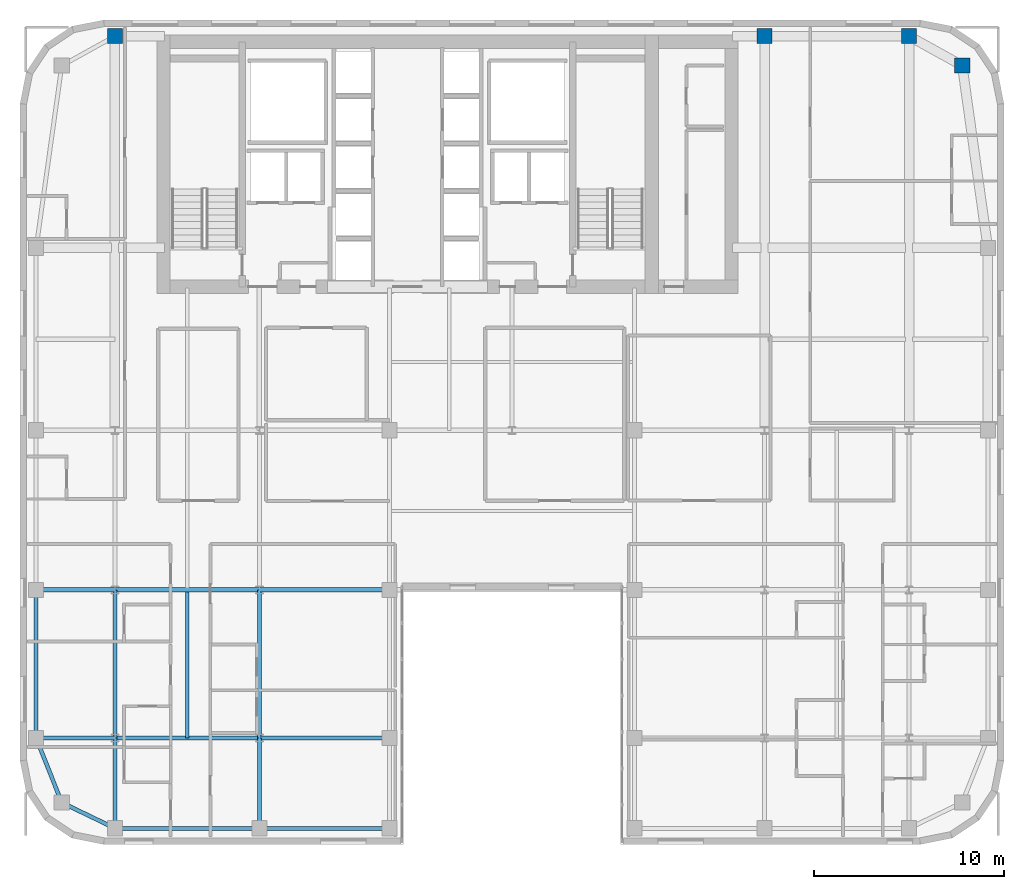
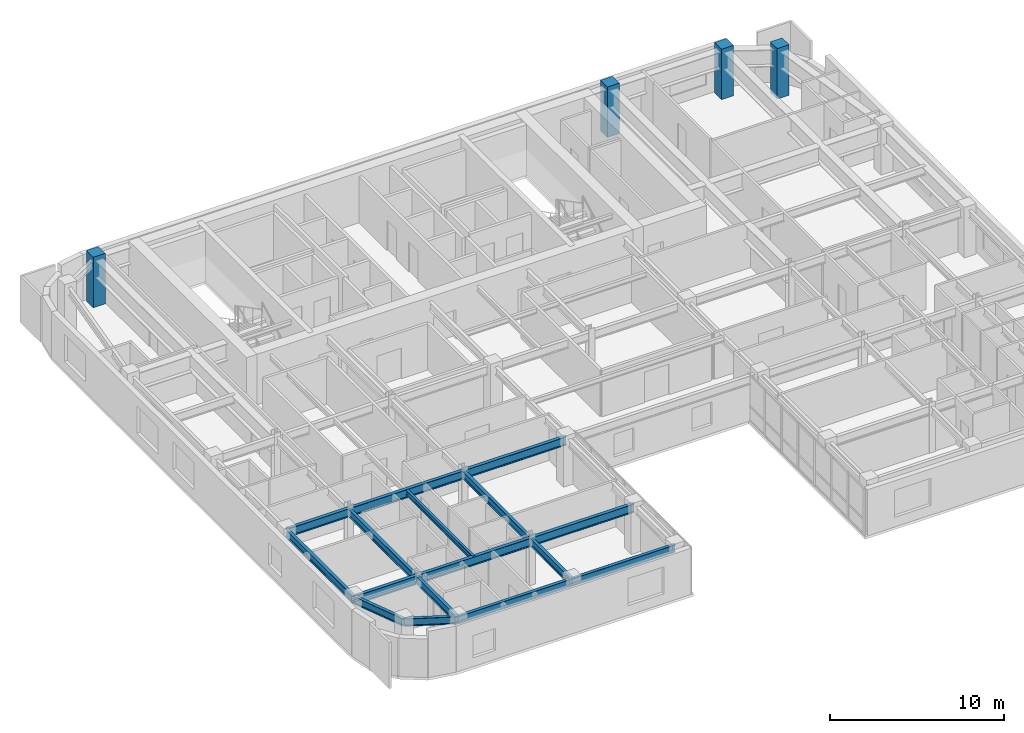
# One storey, part 2 of 14: 16 beams, 4 columns.
"""IFC4 building model written with IfcOpenShell, lengths in metres."""

import ifcopenshell
import ifcopenshell.guid

model = None  # the IFC model being written
_history = None  # IfcOwnerHistory: only IFC2X3 demands one
_inside = {}  # id of a spatial element -> (the spatial element, [elements in it])
_under = {}  # id of a project, library or spatial element -> (it, [spatial elements below it])
_declared = {}  # id of a project -> (the project, [libraries it declares])
_typed = {}  # id of a type object -> (the type object, [elements of that type])
_made_of = {}  # id of a material, layer set ... -> (it, [elements and type objects made of it])


def new_model(schema):
    """Start an empty IFC model of exactly this schema.

    Asked for "IFC4X3", IfcOpenShell would pick the latest addendum, in which some entities
    have other attributes; the version numbers below select the first issue.
    IFC2X3 requires an IfcOwnerHistory on every rooted entity: one is made here for all.
    """
    global model, _history
    if schema == "IFC4X3":
        model = ifcopenshell.file(schema_version=(4, 3, 0, 0))
    else:
        model = ifcopenshell.file(schema=schema)
    _inside.clear()
    _under.clear()
    _declared.clear()
    _typed.clear()
    _made_of.clear()
    _history = None
    if model.schema == "IFC2X3":
        org = make("IfcOrganization", Name="unknown")
        user = make(
            "IfcPersonAndOrganization",
            ThePerson=make("IfcPerson", FamilyName="unknown"),
            TheOrganization=org,
        )
        app = make(
            "IfcApplication",
            ApplicationDeveloper=org,
            Version="unknown",
            ApplicationFullName="unknown",
            ApplicationIdentifier="unknown",
        )
        _history = make(
            "IfcOwnerHistory",
            OwningUser=user,
            OwningApplication=app,
            ChangeAction="ADDED",
            CreationDate=0,
        )
    return model


def make(cls, **values):
    """One entity of the class cls with the attributes given. An attribute that is None is left unset."""
    return model.create_entity(
        cls, **{name: value for name, value in values.items() if value is not None}
    )


def rooted(cls, **values):
    """An entity with a GlobalId (a new one), such as an element, a storey or a relation."""
    return make(cls, GlobalId=ifcopenshell.guid.new(), OwnerHistory=_history, **values)


def si_unit(unit_type, name, prefix=None):
    """IfcSIUnit, for example si_unit("LENGTHUNIT", "METRE", prefix="MILLI")."""
    return make("IfcSIUnit", UnitType=unit_type, Prefix=prefix, Name=name)


def assignment(units):
    """IfcUnitAssignment: the units of a project."""
    return None if units is None else make("IfcUnitAssignment", Units=units)


def point(xyz):
    """IfcCartesianPoint."""
    return None if xyz is None else make("IfcCartesianPoint", Coordinates=xyz)


def direction(xyz):
    """IfcDirection."""
    return None if xyz is None else make("IfcDirection", DirectionRatios=xyz)


def frame(location, z_axis=None, x_axis=None):
    """IfcAxis2Placement3D, a coordinate frame: its origin and axes. An axis left out is left unset."""
    return make(
        "IfcAxis2Placement3D",
        Location=point(location),
        Axis=direction(z_axis),
        RefDirection=direction(x_axis),
    )


def frame_2d(location, x_axis=None):
    """IfcAxis2Placement2D, a coordinate frame in the plane: its origin and x axis."""
    return make(
        "IfcAxis2Placement2D", Location=point(location), RefDirection=direction(x_axis)
    )


def origin():
    """The frame at (0, 0, 0) with its axes left unset."""
    return frame((0.0, 0.0, 0.0))


def origin_2d():
    """The frame at (0, 0) in the plane with its x axis left unset."""
    return frame_2d((0.0, 0.0))


def place(relative_to, where):
    """IfcLocalPlacement: puts the frame where relative to a parent placement (None: the world)."""
    return make(
        "IfcLocalPlacement", PlacementRelTo=relative_to, RelativePlacement=where
    )


def context(
    kind, dimensions, precision=None, world=None, true_north=None, identifier=None
):
    """IfcGeometricRepresentationContext, for example the 3D "Model" context."""
    return make(
        "IfcGeometricRepresentationContext",
        ContextIdentifier=identifier,
        ContextType=kind,
        CoordinateSpaceDimension=dimensions,
        Precision=precision,
        WorldCoordinateSystem=world,
        TrueNorth=true_north,
    )


def subcontext(parent, identifier, kind, view, scale=None):
    """IfcGeometricRepresentationSubContext, for example "Body" below "Model"."""
    return make(
        "IfcGeometricRepresentationSubContext",
        ContextIdentifier=identifier,
        ContextType=kind,
        ParentContext=parent,
        TargetScale=scale,
        TargetView=view,
    )


def project(units=None, contexts=None):
    """IfcProject with its units and contexts."""
    return rooted(
        "IfcProject",
        Name="project",
        RepresentationContexts=contexts,
        UnitsInContext=assignment(units),
    )


def spatial(cls, under=None, at=None, **own):
    """A site, building, storey or space (cls), placed at a placement, below another one or the project."""
    s = rooted(cls, ObjectPlacement=at, **own)
    if under is not None:
        _under.setdefault(under.id(), (under, []))[1].append(s)
    return s


def profile(cls, at=None, kind="AREA", **sizes):
    """A parametric profile (cls). Its sizes go by their IFC names, for example OverallWidth=200.0."""
    return make(cls, ProfileType=kind, Position=at, **sizes)


def rectangle(**sizes):
    """IfcRectangleProfileDef."""
    return profile("IfcRectangleProfileDef", **sizes)


def i_section(**sizes):
    """IfcIShapeProfileDef."""
    return profile("IfcIShapeProfileDef", **sizes)


def extrude(swept, where, along, depth):
    """IfcExtrudedAreaSolid: the profile swept, set in the frame where, extruded along a direction by depth."""
    return make(
        "IfcExtrudedAreaSolid",
        SweptArea=swept,
        Position=where,
        ExtrudedDirection=direction(along),
        Depth=depth,
    )


def shape(context_of_items, identifier, shape_type, items):
    """IfcShapeRepresentation: the items that make up one representation, for example the "Body"."""
    return make(
        "IfcShapeRepresentation",
        ContextOfItems=context_of_items,
        RepresentationIdentifier=identifier,
        RepresentationType=shape_type,
        Items=items,
    )


def source(mapping_origin, context_of_items, identifier, shape_type, items):
    """IfcRepresentationMap: a shape defined once, which mapped items show again and again."""
    return make(
        "IfcRepresentationMap",
        MappingOrigin=mapping_origin,
        MappedRepresentation=shape(context_of_items, identifier, shape_type, items),
    )


def transform(
    local_origin,
    x_axis=None,
    y_axis=None,
    z_axis=None,
    scale=None,
    scale2=None,
    scale3=None,
    uniform=True,
):
    """IfcCartesianTransformationOperator3D, or its non-uniform kind. x_axis, y_axis, z_axis: its Axis1, 2, 3."""
    if uniform:
        return make(
            "IfcCartesianTransformationOperator3D",
            Axis1=direction(x_axis),
            Axis2=direction(y_axis),
            LocalOrigin=point(local_origin),
            Scale=scale,
            Axis3=direction(z_axis),
        )
    return make(
        "IfcCartesianTransformationOperator3DnonUniform",
        Axis1=direction(x_axis),
        Axis2=direction(y_axis),
        LocalOrigin=point(local_origin),
        Scale=scale,
        Axis3=direction(z_axis),
        Scale2=scale2,
        Scale3=scale3,
    )


def mapped(mapping_source, mapping_target):
    """IfcMappedItem: shows the shape of a source again, moved by a transform."""
    return make(
        "IfcMappedItem", MappingSource=mapping_source, MappingTarget=mapping_target
    )


def material(Name=None, Category=None):
    """IfcMaterial."""
    return make("IfcMaterial", Name=Name, Category=Category)


def material_profile(
    of_material, cross_section, Name=None, Category=None, Priority=None
):
    """IfcMaterialProfile: a cross section and its material."""
    return make(
        "IfcMaterialProfile",
        Name=Name,
        Material=of_material,
        Profile=cross_section,
        Priority=Priority,
        Category=Category,
    )


def profile_set(profiles, Name=None, composite=None):
    """IfcMaterialProfileSet."""
    return make(
        "IfcMaterialProfileSet",
        Name=Name,
        MaterialProfiles=profiles,
        CompositeProfile=composite,
    )


def made_of(thing, what):
    """Note that an element or type object is made of a material, layer set ...; save() writes the relation."""
    if what is not None:
        _made_of.setdefault(what.id(), (what, []))[1].append(thing)
    return thing


def type_object(cls, material=None, **own):
    """A type object (cls), such as IfcWallType, which elements share."""
    return made_of(rooted(cls, **own), material)


def type_shapes(of_type, sources):
    """Give a type object the sources (RepresentationMaps) that its elements show as mapped items."""
    of_type.RepresentationMaps = sources


def element(
    cls,
    number,
    at=None,
    inside=None,
    cuts=None,
    type_object=None,
    material=None,
    context=None,
    identifier="Body",
    shape_type=None,
    held_by="IfcProductDefinitionShape",
    body=None,
    shapes=None,
    **own,
):
    """One element of the class cls, such as IfcWall. Its Tag is "e" and its number.

    at: its placement. inside: the storey or other place that contains it. cuts: it is an
    opening in that element (IfcRelVoidsElement). A single representation is given by context,
    identifier, shape_type and body (its items); several are given by shapes. held_by: the class
    of the entity that holds the representations. save() writes the other relations.
    """
    e = rooted(cls, Tag="e%d" % number, ObjectPlacement=at, **own)
    if body is not None:
        shapes = [shape(context, identifier, shape_type, body)]
    if shapes is not None:
        e.Representation = make(held_by, Representations=shapes)
    if inside is not None:
        _inside.setdefault(inside.id(), (inside, []))[1].append(e)
    if cuts is not None:
        rooted(
            "IfcRelVoidsElement", RelatingBuildingElement=cuts, RelatedOpeningElement=e
        )
    if type_object is not None:
        _typed.setdefault(type_object.id(), (type_object, []))[1].append(e)
    return made_of(e, material)


def aggregate(whole, parts):
    """IfcRelAggregates: a whole, such as a stair, and the parts it consists of."""
    return rooted("IfcRelAggregates", RelatingObject=whole, RelatedObjects=parts)


def save(model, path):
    """Write the relations noted so far, then the file.

    IfcRelAggregates (storeys below a building ...), IfcRelContainedInSpatialStructure (elements
    in a storey), IfcRelDefinesByType, IfcRelAssociatesMaterial and IfcRelDeclares: one each for
    every whole, place, type object, material and project.
    """
    for whole, parts in _under.values():
        aggregate(whole, parts)
    for where, things in _inside.values():
        rooted(
            "IfcRelContainedInSpatialStructure",
            RelatedElements=things,
            RelatingStructure=where,
        )
    for kind, things in _typed.values():
        rooted("IfcRelDefinesByType", RelatedObjects=things, RelatingType=kind)
    for what, things in _made_of.values():
        rooted("IfcRelAssociatesMaterial", RelatedObjects=things, RelatingMaterial=what)
    for by, libraries in _declared.values():
        rooted("IfcRelDeclares", RelatingContext=by, RelatedDefinitions=libraries)
    model.write(path)


model = new_model("IFC4")

# Units and contexts
model_context = context("Model", 3, precision=1e-05, world=origin(), true_north=direction((0.0, 1.0)))
body_context = subcontext(model_context, "Body", "Model", "MODEL_VIEW")
ifc_project = project(units=[si_unit("LENGTHUNIT", "METRE"), si_unit("AREAUNIT", "SQUARE_METRE"), si_unit("VOLUMEUNIT", "CUBIC_METRE"), si_unit("PLANEANGLEUNIT", "RADIAN"), si_unit("MASSUNIT", "GRAM", prefix="KILO")], contexts=[model_context])

# Site, building, storey
site_placement = place(None, origin())
site = spatial("IfcSite", under=ifc_project, at=site_placement, CompositionType="ELEMENT")
building_placement = place(site_placement, origin())
building = spatial("IfcBuilding", under=site, at=building_placement, Name="Tolvann Quenvar Hotel", CompositionType="ELEMENT")
storey_placement = place(building_placement, frame((0.0, 0.0, 179.0)))
storey = spatial("IfcBuildingStorey", under=building, at=storey_placement, Name="L47", CompositionType="ELEMENT", Elevation=179.0)

# Columns
ifc_material_1 = material(Name="Concrete N50 (50 MPa)", Category="concrete")
ifc_material_profile_1 = material_profile(ifc_material_1, rectangle(XDim=0.800048828125, YDim=0.800048828125, at=origin_2d()), Name="RC800x800")
ifc_profile_set_1 = profile_set([ifc_material_profile_1], Name="Concrete N50 (50 MPa)")
column_type = type_object("IfcColumnType", Name="COL_RC800", PredefinedType="COLUMN", material=ifc_profile_set_1)
shared_shape_1 = source(origin(), body_context, "Body", "SweptSolid", [
    extrude(rectangle(XDim=0.800048828125, YDim=0.800048828125, at=origin_2d()), origin(), (0.0, 0.0, 1.0), 3.550048828125),
])
type_shapes(column_type, [shared_shape_1])
for number, where, z_axis, x_axis, name in (
    (1, (7.60009765625, 45.14990234375, 0.0), (0.0, 0.0, 1.0), (1.0, 0.0, 0.0), "Column CN (L47)"),
    (2, (41.800048828125, 45.14990234375, 0.0), (0.0, 0.0, 1.0), (1.0, 0.0, 0.0), "Column HN (L47)"),
    (3, (49.39990234375, 45.14990234375, 0.0), (0.0, 0.0, 1.0), (1.0, 0.0, 0.0), "Column IN (L47)"),
    (4, (52.199951171875, 43.60009765625, 0.0), (0.0, 0.0, 1.0), (1.0, 0.0, 0.0), "Column JN (L47)"),
):
    element("IfcColumn", number, at=place(storey_placement, frame(where, z_axis=z_axis, x_axis=x_axis)), inside=storey, type_object=column_type, Name=name, PredefinedType="COLUMN", context=body_context, shape_type="MappedRepresentation", body=[
        mapped(shared_shape_1, transform((0.0, 0.0, 0.0), x_axis=(1.0, 0.0, 0.0), y_axis=(0.0, 1.0, 0.0), z_axis=(0.0, 0.0, 1.0), scale=1.0)),
    ])

# Beams
ifc_material_2 = material(Name="Steel Grade 350", Category="steel")
ifc_material_profile_2 = material_profile(ifc_material_2, i_section(OverallWidth=0.208984375, OverallDepth=0.528076171875, WebThickness=0.009521484375, FlangeThickness=0.01318359375, FilletRadius=0.013916015625, at=origin_2d()), Name="530UB82")
ifc_profile_set_2 = profile_set([ifc_material_profile_2], Name="Steel Grade 350")
beam_type_1 = type_object("IfcBeamType", Name="BM_SPAND_530UB82", PredefinedType="SPANDREL", material=ifc_profile_set_2)
shared_shape_2 = source(origin(), body_context, "Body", "SweptSolid", [
    extrude(i_section(OverallWidth=0.208984375, OverallDepth=0.528076171875, WebThickness=0.009521484375, FlangeThickness=0.01318359375, FilletRadius=0.013916015625, at=origin_2d()), origin(), (0.0, 0.0, 1.0), 7.599853515625),
])
beam_1_placement = place(storey_placement, frame((7.60009765625, 3.449951171875, 2.986083984375), z_axis=(1.0, 0.0, 0.0), x_axis=(0.0, 1.0, 0.0)))
element("IfcBeam", 5, at=beam_1_placement, inside=storey, type_object=beam_type_1, Name="BM-L47-EW-2-C2-D2", PredefinedType="SPANDREL", context=body_context, shape_type="MappedRepresentation", body=[
    mapped(shared_shape_2, transform((0.0, 0.0, 0.0), x_axis=(1.0, 0.0, 0.0), y_axis=(0.0, 1.0, 0.0), z_axis=(0.0, 0.0, 1.0), scale=1.0)),
])
shared_shape_3 = source(origin(), body_context, "Body", "SweptSolid", [
    extrude(i_section(OverallWidth=0.208984375, OverallDepth=0.528076171875, WebThickness=0.009521484375, FlangeThickness=0.01318359375, FilletRadius=0.013916015625, at=origin_2d()), origin(), (0.0, 0.0, 1.0), 6.85009765625),
])
beam_2_placement = place(storey_placement, frame((15.199951171875, 3.449951171875, 2.986083984375), z_axis=(1.0, 0.0, 0.0), x_axis=(0.0, 1.0, 0.0)))
element("IfcBeam", 6, at=beam_2_placement, inside=storey, type_object=beam_type_1, Name="BM-L47-EW-2-D2-E2", PredefinedType="SPANDREL", context=body_context, shape_type="MappedRepresentation", body=[
    mapped(shared_shape_3, transform((0.0, 0.0, 0.0), x_axis=(1.0, 0.0, 0.0), y_axis=(0.0, 1.0, 0.0), z_axis=(0.0, 0.0, 1.0), scale=1.0)),
])
shared_shape_4 = source(origin(), body_context, "Body", "SweptSolid", [
    extrude(i_section(OverallWidth=0.208984375, OverallDepth=0.528076171875, WebThickness=0.009521484375, FlangeThickness=0.01318359375, FilletRadius=0.013916015625, at=origin_2d()), origin(), (0.0, 0.0, 1.0), 7.800048828125),
])
beam_3_placement = place(storey_placement, frame((3.449951171875, 8.199951171875, 2.986083984375), z_axis=(0.0, 1.0, 0.0), x_axis=(-1.0, 0.0, 0.0)))
element("IfcBeam", 7, at=beam_3_placement, inside=storey, type_object=beam_type_1, Name="BM-L47-NS-B3-B4", PredefinedType="SPANDREL", context=body_context, shape_type="MappedRepresentation", body=[
    mapped(shared_shape_4, transform((0.0, 0.0, 0.0), x_axis=(1.0, 0.0, 0.0), y_axis=(0.0, 1.0, 0.0), z_axis=(0.0, 0.0, 1.0), scale=1.0)),
])
ifc_material_profile_3 = material_profile(ifc_material_2, i_section(OverallWidth=0.208984375, OverallDepth=0.532958984375, WebThickness=0.01025390625, FlangeThickness=0.015625, FilletRadius=0.013916015625, at=origin_2d()), Name="530UB92")
ifc_profile_set_3 = profile_set([ifc_material_profile_3], Name="Steel Grade 350")
beam_type_2 = type_object("IfcBeamType", Name="BM_GIRD_530UB92", PredefinedType="BEAM", material=ifc_profile_set_3)
shared_shape_5 = source(origin(), body_context, "Body", "SweptSolid", [
    extrude(i_section(OverallWidth=0.208984375, OverallDepth=0.532958984375, WebThickness=0.01025390625, FlangeThickness=0.015625, FilletRadius=0.013916015625, at=origin_2d()), origin(), (0.0, 0.0, 1.0), 7.800048828125),
])
for number, where, z_axis, x_axis, name in (
    (8, (7.60009765625, 8.199951171875, 2.9833984375), (0.0, 1.0, 0.0), (-1.0, 0.0, 0.0), "BM-L47-NS-C3-C4"),
    (9, (15.199951171875, 8.199951171875, 2.9833984375), (0.0, 1.0, 0.0), (-1.0, 0.0, 0.0), "BM-L47-NS-D3-D4"),
):
    element("IfcBeam", number, at=place(storey_placement, frame(where, z_axis=z_axis, x_axis=x_axis)), inside=storey, type_object=beam_type_2, Name=name, PredefinedType="BEAM", context=body_context, shape_type="MappedRepresentation", body=[
        mapped(shared_shape_5, transform((0.0, 0.0, 0.0), x_axis=(1.0, 0.0, 0.0), y_axis=(0.0, 1.0, 0.0), z_axis=(0.0, 0.0, 1.0), scale=1.0)),
    ])
shared_shape_6 = source(origin(), body_context, "Body", "SweptSolid", [
    extrude(i_section(OverallWidth=0.208984375, OverallDepth=0.528076171875, WebThickness=0.009521484375, FlangeThickness=0.01318359375, FilletRadius=0.013916015625, at=origin_2d()), origin(), (0.0, 0.0, 1.0), 3.108642578125),
])
beam_4_placement = place(storey_placement, frame((4.800048828125, 4.800048828125, 2.986083984375), z_axis=(0.900759354066, -0.434318530646, 0.0), x_axis=(0.434318530646, 0.900759354066, 0.0)))
element("IfcBeam", 10, at=beam_4_placement, inside=storey, type_object=beam_type_1, Name="BM-L47-EW-2-B2-C2", PredefinedType="SPANDREL", context=body_context, shape_type="MappedRepresentation", body=[
    mapped(shared_shape_6, transform((0.0, 0.0, 0.0), x_axis=(1.0, 0.0, 0.0), y_axis=(0.0, 1.0, 0.0), z_axis=(0.0, 0.0, 1.0), scale=1.0)),
])
ifc_material_profile_4 = material_profile(ifc_material_2, i_section(OverallWidth=0.22802734375, OverallDepth=0.60205078125, WebThickness=0.010498046875, FlangeThickness=0.014892578125, FilletRadius=0.013916015625, at=origin_2d()), Name="610UB101")
ifc_profile_set_4 = profile_set([ifc_material_profile_4], Name="Steel Grade 350")
beam_type_3 = type_object("IfcBeamType", Name="BM_GIRD_610UB101", PredefinedType="BEAM", material=ifc_profile_set_4)
shared_shape_7 = source(origin(), body_context, "Body", "SweptSolid", [
    extrude(i_section(OverallWidth=0.22802734375, OverallDepth=0.60205078125, WebThickness=0.010498046875, FlangeThickness=0.014892578125, FilletRadius=0.013916015625, at=origin_2d()), origin(), (0.0, 0.0, 1.0), 4.150146484375),
])
for number, where, z_axis, x_axis, name in (
    (11, (3.449951171875, 8.199951171875, 2.948974609375), (1.0, 0.0, 0.0), (0.0, 1.0, 0.0), "BM-L47-EW-3-B3-C3"),
    (12, (3.449951171875, 16.0, 2.948974609375), (1.0, 0.0, 0.0), (0.0, 1.0, 0.0), "BM-L47-EW-4-B4-C4"),
):
    element("IfcBeam", number, at=place(storey_placement, frame(where, z_axis=z_axis, x_axis=x_axis)), inside=storey, type_object=beam_type_3, Name=name, PredefinedType="BEAM", context=body_context, shape_type="MappedRepresentation", body=[
        mapped(shared_shape_7, transform((0.0, 0.0, 0.0), x_axis=(1.0, 0.0, 0.0), y_axis=(0.0, 1.0, 0.0), z_axis=(0.0, 0.0, 1.0), scale=1.0)),
    ])
shared_shape_8 = source(origin(), body_context, "Body", "SweptSolid", [
    extrude(i_section(OverallWidth=0.22802734375, OverallDepth=0.60205078125, WebThickness=0.010498046875, FlangeThickness=0.014892578125, FilletRadius=0.013916015625, at=origin_2d()), origin(), (0.0, 0.0, 1.0), 7.599853515625),
])
for number, where, z_axis, x_axis, name in (
    (13, (7.60009765625, 8.199951171875, 2.948974609375), (1.0, 0.0, 0.0), (0.0, 1.0, 0.0), "BM-L47-EW-3-C3-D3"),
    (14, (7.60009765625, 16.0, 2.948974609375), (1.0, 0.0, 0.0), (0.0, 1.0, 0.0), "BM-L47-EW-4-C4-D4"),
):
    element("IfcBeam", number, at=place(storey_placement, frame(where, z_axis=z_axis, x_axis=x_axis)), inside=storey, type_object=beam_type_3, Name=name, PredefinedType="BEAM", context=body_context, shape_type="MappedRepresentation", body=[
        mapped(shared_shape_8, transform((0.0, 0.0, 0.0), x_axis=(1.0, 0.0, 0.0), y_axis=(0.0, 1.0, 0.0), z_axis=(0.0, 0.0, 1.0), scale=1.0)),
    ])
shared_shape_9 = source(origin(), body_context, "Body", "SweptSolid", [
    extrude(i_section(OverallWidth=0.22802734375, OverallDepth=0.60205078125, WebThickness=0.010498046875, FlangeThickness=0.014892578125, FilletRadius=0.013916015625, at=origin_2d()), origin(), (0.0, 0.0, 1.0), 6.85009765625),
])
type_shapes(beam_type_3, [shared_shape_7, shared_shape_8, shared_shape_9])
for number, where, z_axis, x_axis, name in (
    (15, (15.199951171875, 8.199951171875, 2.948974609375), (1.0, 0.0, 0.0), (0.0, 1.0, 0.0), "BM-L47-EW-3-D3-E3"),
    (16, (15.199951171875, 16.0, 2.948974609375), (1.0, 0.0, 0.0), (0.0, 1.0, 0.0), "BM-L47-EW-4-D4-E4"),
):
    element("IfcBeam", number, at=place(storey_placement, frame(where, z_axis=z_axis, x_axis=x_axis)), inside=storey, type_object=beam_type_3, Name=name, PredefinedType="BEAM", context=body_context, shape_type="MappedRepresentation", body=[
        mapped(shared_shape_9, transform((0.0, 0.0, 0.0), x_axis=(1.0, 0.0, 0.0), y_axis=(0.0, 1.0, 0.0), z_axis=(0.0, 0.0, 1.0), scale=1.0)),
    ])
shared_shape_10 = source(origin(), body_context, "Body", "SweptSolid", [
    extrude(i_section(OverallWidth=0.208984375, OverallDepth=0.528076171875, WebThickness=0.009521484375, FlangeThickness=0.01318359375, FilletRadius=0.013916015625, at=origin_2d()), origin(), (0.0, 0.0, 1.0), 3.658203125),
])
type_shapes(beam_type_1, [shared_shape_2, shared_shape_3, shared_shape_4, shared_shape_6, shared_shape_10])
beam_5_placement = place(storey_placement, frame((4.800048828125, 4.800048828125, 2.986083984375), z_axis=(-0.369065163807, 0.929403521009, 0.0), x_axis=(-0.929403521009, -0.369065163807, 0.0)))
element("IfcBeam", 17, at=beam_5_placement, inside=storey, type_object=beam_type_1, Name="BM-L47-NS-B2-B3", PredefinedType="SPANDREL", context=body_context, shape_type="MappedRepresentation", body=[
    mapped(shared_shape_10, transform((0.0, 0.0, 0.0), x_axis=(1.0, 0.0, 0.0), y_axis=(0.0, 1.0, 0.0), z_axis=(0.0, 0.0, 1.0), scale=1.0)),
])
shared_shape_11 = source(origin(), body_context, "Body", "SweptSolid", [
    extrude(i_section(OverallWidth=0.208984375, OverallDepth=0.532958984375, WebThickness=0.01025390625, FlangeThickness=0.015625, FilletRadius=0.013916015625, at=origin_2d()), origin(), (0.0, 0.0, 1.0), 4.75),
])
type_shapes(beam_type_2, [shared_shape_5, shared_shape_11])
for number, where, z_axis, x_axis, name in (
    (18, (7.60009765625, 3.449951171875, 2.9833984375), (0.0, 1.0, 0.0), (-1.0, 0.0, 0.0), "BM-L47-NS-C2-C3"),
    (19, (15.199951171875, 3.449951171875, 2.9833984375), (0.0, 1.0, 0.0), (-1.0, 0.0, 0.0), "BM-L47-NS-D2-D3"),
):
    element("IfcBeam", number, at=place(storey_placement, frame(where, z_axis=z_axis, x_axis=x_axis)), inside=storey, type_object=beam_type_2, Name=name, PredefinedType="BEAM", context=body_context, shape_type="MappedRepresentation", body=[
        mapped(shared_shape_11, transform((0.0, 0.0, 0.0), x_axis=(1.0, 0.0, 0.0), y_axis=(0.0, 1.0, 0.0), z_axis=(0.0, 0.0, 1.0), scale=1.0)),
    ])
ifc_material_profile_5 = material_profile(ifc_material_2, i_section(OverallWidth=0.172119140625, OverallDepth=0.35888671875, WebThickness=0.008056640625, FlangeThickness=0.012939453125, FilletRadius=0.011474609375, at=origin_2d()), Name="360UB57")
ifc_profile_set_5 = profile_set([ifc_material_profile_5], Name="Steel Grade 350")
beam_type_4 = type_object("IfcBeamType", Name="BM_JOIST_360UB57", PredefinedType="JOIST", material=ifc_profile_set_5)
shared_shape_12 = source(origin(), body_context, "Body", "SweptSolid", [
    extrude(i_section(OverallWidth=0.172119140625, OverallDepth=0.35888671875, WebThickness=0.008056640625, FlangeThickness=0.012939453125, FilletRadius=0.011474609375, at=origin_2d()), origin(), (0.0, 0.0, 1.0), 7.692138671875),
])
type_shapes(beam_type_4, [shared_shape_12])
beam_6_placement = place(storey_placement, frame((11.39990234375, 8.199951171875, 3.070556640625), z_axis=(0.0, 1.0, 0.0), x_axis=(-1.0, 0.0, 0.0)))
element("IfcBeam", 20, at=beam_6_placement, inside=storey, type_object=beam_type_4, Name="BJ-L47-114-82", PredefinedType="JOIST", context=body_context, shape_type="MappedRepresentation", body=[
    mapped(shared_shape_12, transform((0.0, 0.0, 0.0), x_axis=(1.0, 0.0, 0.0), y_axis=(0.0, 1.0, 0.0), z_axis=(0.0, 0.0, 1.0), scale=1.0)),
])

save(model, "model.ifc")
